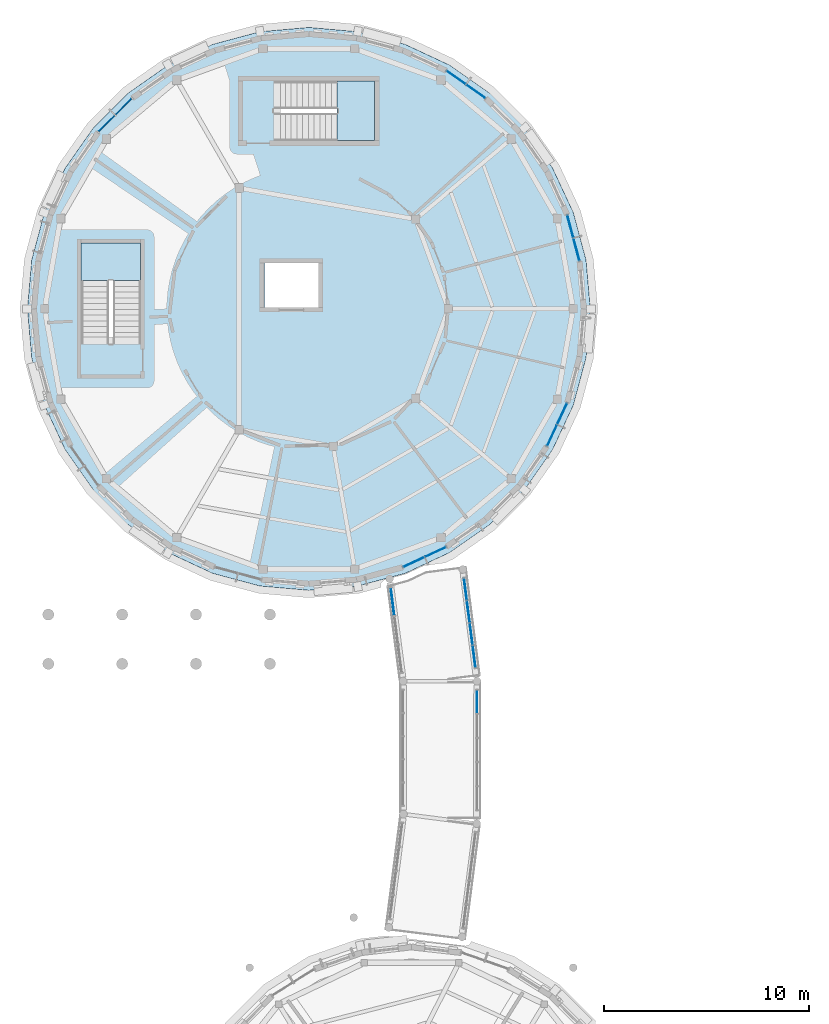
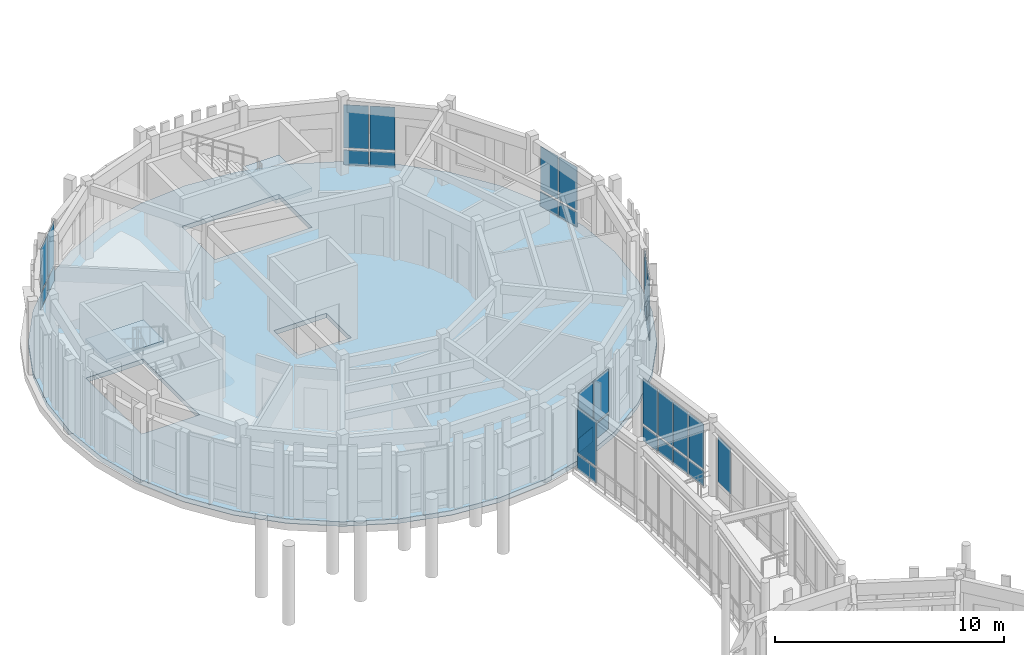
# One storey, part 37 of 80: 31 plates, 3 slabs, 10 elements without a shape of their own.
"""IFC4 building model written with IfcOpenShell, lengths in metres."""

from ifc_helpers import new_model, si_unit, direction, frame, origin, origin_2d, place, context, subcontext, project, spatial, polyline, rectangle, outline, extrude, material, layer, layer_set, type_object, element, aggregate, save


model = new_model("IFC4")

# Units and contexts
model_context = context("Model", 3, precision=1e-05, world=origin(), true_north=direction((0.0, 1.0)))
body_context = subcontext(model_context, "Body", "Model", "MODEL_VIEW")
ifc_project = project(units=[si_unit("LENGTHUNIT", "METRE"), si_unit("AREAUNIT", "SQUARE_METRE"), si_unit("VOLUMEUNIT", "CUBIC_METRE"), si_unit("PLANEANGLEUNIT", "RADIAN"), si_unit("MASSUNIT", "GRAM", prefix="KILO")], contexts=[model_context])

# Site, building, storey
site_placement = place(None, origin())
site = spatial("IfcSite", under=ifc_project, at=site_placement, CompositionType="ELEMENT")
building_placement = place(site_placement, origin())
building = spatial("IfcBuilding", under=site, at=building_placement, Name="Aldenvaro Health Centre", CompositionType="ELEMENT")
storey_placement = place(building_placement, frame((0.0, 0.0, 4.550048828125)))
storey = spatial("IfcBuildingStorey", under=building, at=storey_placement, Name="L01", CompositionType="ELEMENT", Elevation=4.550048828125)

# Curtain wall, plates
ifc_material_1 = material(Name="Anodised Aluminium 6063-T6", Category="aluminium")
ifc_layer_1 = layer(ifc_material_1, 0.195068359375, Name="Anodised Aluminium 6063-T6", Category="aluminium")
ifc_layer_set_1 = layer_set([ifc_layer_1], Name="Anodised Aluminium 6063-T6")
curtain_wall_type_1 = type_object("IfcCurtainWallType", Name="CW-CLN-02", PredefinedType="NOTDEFINED", material=ifc_layer_set_1)
curtain_wall_1_placement = place(storey_placement, origin())
curtain_wall_1 = element("IfcCurtainWall", 1, at=curtain_wall_1_placement, inside=storey, type_object=curtain_wall_type_1, Name="D4 L01 curtain wall bay 03", PredefinedType="NOTDEFINED")
ifc_material_2 = material(Name="Low-E Double Glazing IGU", Category="glass")
ifc_layer_2 = layer(ifc_material_2, 0.028076171875, Name="Low-E Double Glazing IGU", Category="glass")
ifc_layer_set_2 = layer_set([ifc_layer_2], Name="Low-E Double Glazing IGU")
plate_type_1 = type_object("IfcPlateType", Name="CWP-IGU-28", PredefinedType="CURTAIN_PANEL", material=ifc_layer_set_2)
plate_1_placement = place(storey_placement, frame((30.844970703125, 94.387939453125, 0.95947265625), z_axis=(0.0, 0.0, 1.0), x_axis=(-0.422557314215, -0.90633620484, 0.0)))
plate_1 = element("IfcPlate", 2, at=plate_1_placement, type_object=plate_type_1, Name="D4 L01 curtain wall bay 03 vision glazing 1", PredefinedType="CURTAIN_PANEL", context=body_context, shape_type="SweptSolid", body=[
    extrude(rectangle(XDim=1.097900390625, YDim=0.028076171875, at=origin_2d()), origin(), (0.0, 0.0, 1.0), 2.2890625),
])
plate_2_placement = place(storey_placement, frame((30.35205078125, 93.3291015625, 0.95947265625), z_axis=(0.0, 0.0, 1.0), x_axis=(-0.422557314215, -0.90633620484, 0.0)))
plate_2 = element("IfcPlate", 3, at=plate_2_placement, type_object=plate_type_1, Name="D4 L01 curtain wall bay 03 vision glazing 2", PredefinedType="CURTAIN_PANEL", context=body_context, shape_type="SweptSolid", body=[
    extrude(rectangle(XDim=1.097900390625, YDim=0.028076171875, at=origin_2d()), origin(), (0.0, 0.0, 1.0), 2.2890625),
])

curtain_wall_2_placement = place(storey_placement, origin())
curtain_wall_2 = element("IfcCurtainWall", 4, at=curtain_wall_2_placement, inside=storey, type_object=curtain_wall_type_1, Name="D4 L01 curtain wall bay 07", PredefinedType="NOTDEFINED")
plate_3_placement = place(storey_placement, frame((24.6708984375, 87.64794921875, 0.95947265625), z_axis=(0.0, 0.0, 1.0), x_axis=(-0.90633620484, -0.422557314215, 0.0)))
plate_3 = element("IfcPlate", 5, at=plate_3_placement, type_object=plate_type_1, Name="D4 L01 curtain wall bay 07 vision glazing 1", PredefinedType="CURTAIN_PANEL", context=body_context, shape_type="SweptSolid", body=[
    extrude(rectangle(XDim=1.097900390625, YDim=0.028076171875, at=origin_2d()), origin(), (0.0, 0.0, 1.0), 2.2890625),
])
plate_4_placement = place(storey_placement, frame((23.612060546875, 87.155029296875, 0.95947265625), z_axis=(0.0, 0.0, 1.0), x_axis=(-0.90633620484, -0.422557314215, 0.0)))
plate_4 = element("IfcPlate", 6, at=plate_4_placement, type_object=plate_type_1, Name="D4 L01 curtain wall bay 07 vision glazing 2", PredefinedType="CURTAIN_PANEL", context=body_context, shape_type="SweptSolid", body=[
    extrude(rectangle(XDim=1.097900390625, YDim=0.028076171875, at=origin_2d()), origin(), (0.0, 0.0, 1.0), 2.2890625),
])

curtain_wall_3_placement = place(storey_placement, origin())
curtain_wall_3 = element("IfcCurtainWall", 7, at=curtain_wall_3_placement, inside=storey, type_object=curtain_wall_type_1, Name="D4 L01 curtain wall bay 23", PredefinedType="NOTDEFINED")
plate_5_placement = place(storey_placement, frame((8.64794921875, 108.52587890625, 0.95947265625), z_axis=(0.0, 0.0, 1.0), x_axis=(0.707106781187, 0.707106781187, 0.0)))
plate_5 = element("IfcPlate", 8, at=plate_5_placement, type_object=plate_type_1, Name="D4 L01 curtain wall bay 23 vision glazing 1", PredefinedType="CURTAIN_PANEL", context=body_context, shape_type="SweptSolid", body=[
    extrude(rectangle(XDim=1.097900390625, YDim=0.028076171875, at=origin_2d()), origin(), (0.0, 0.0, 1.0), 2.2890625),
])
plate_6_placement = place(storey_placement, frame((9.47412109375, 109.35205078125, 0.95947265625), z_axis=(0.0, 0.0, 1.0), x_axis=(0.707106781187, 0.707106781187, 0.0)))
plate_6 = element("IfcPlate", 9, at=plate_6_placement, type_object=plate_type_1, Name="D4 L01 curtain wall bay 23 vision glazing 2", PredefinedType="CURTAIN_PANEL", context=body_context, shape_type="SweptSolid", body=[
    extrude(rectangle(XDim=1.097900390625, YDim=0.028076171875, at=origin_2d()), origin(), (0.0, 0.0, 1.0), 2.2890625),
])

curtain_wall_4_placement = place(storey_placement, origin())
curtain_wall_4 = element("IfcCurtainWall", 10, at=curtain_wall_4_placement, inside=storey, type_object=curtain_wall_type_1, Name="D4 L01 curtain wall bay 31", PredefinedType="NOTDEFINED")
plate_7_placement = place(storey_placement, frame((25.677978515625, 110.77001953125, 0.95947265625), z_axis=(0.0, 0.0, 1.0), x_axis=(0.819050849853, -0.573720929857, 0.0)))
plate_7 = element("IfcPlate", 11, at=plate_7_placement, type_object=plate_type_1, Name="D4 L01 curtain wall bay 31 vision glazing 1", PredefinedType="CURTAIN_PANEL", context=body_context, shape_type="SweptSolid", body=[
    extrude(rectangle(XDim=1.097900390625, YDim=0.028076171875, at=origin_2d()), origin(), (0.0, 0.0, 1.0), 2.2890625),
])
plate_8_placement = place(storey_placement, frame((26.635009765625, 110.10009765625, 0.95947265625), z_axis=(0.0, 0.0, 1.0), x_axis=(0.819050849853, -0.573720929857, 0.0)))
plate_8 = element("IfcPlate", 12, at=plate_8_placement, type_object=plate_type_1, Name="D4 L01 curtain wall bay 31 vision glazing 2", PredefinedType="CURTAIN_PANEL", context=body_context, shape_type="SweptSolid", body=[
    extrude(rectangle(XDim=1.097900390625, YDim=0.028076171875, at=origin_2d()), origin(), (0.0, 0.0, 1.0), 2.2890625),
])

curtain_wall_5_placement = place(storey_placement, origin())
curtain_wall_5 = element("IfcCurtainWall", 13, at=curtain_wall_5_placement, inside=storey, type_object=curtain_wall_type_1, Name="D4 L01 curtain wall bay 35", PredefinedType="NOTDEFINED")
plate_9_placement = place(storey_placement, frame((31.242919921875, 103.51904296875, 0.95947265625), z_axis=(0.0, 0.0, 1.0), x_axis=(0.258621935517, -0.965978620089, 0.0)))
plate_9 = element("IfcPlate", 14, at=plate_9_placement, type_object=plate_type_1, Name="D4 L01 curtain wall bay 35 vision glazing 1", PredefinedType="CURTAIN_PANEL", context=body_context, shape_type="SweptSolid", body=[
    extrude(rectangle(XDim=1.097900390625, YDim=0.028076171875, at=origin_2d()), origin(), (0.0, 0.0, 1.0), 2.2890625),
])
plate_10_placement = place(storey_placement, frame((31.544921875, 102.39111328125, 0.95947265625), z_axis=(0.0, 0.0, 1.0), x_axis=(0.258621935517, -0.965978620089, 0.0)))
plate_10 = element("IfcPlate", 15, at=plate_10_placement, type_object=plate_type_1, Name="D4 L01 curtain wall bay 35 vision glazing 2", PredefinedType="CURTAIN_PANEL", context=body_context, shape_type="SweptSolid", body=[
    extrude(rectangle(XDim=1.097900390625, YDim=0.028076171875, at=origin_2d()), origin(), (0.0, 0.0, 1.0), 2.2890625),
])

# Curtain wall, plate
ifc_layer_3 = layer(ifc_material_1, 0.2099609375, Name="Anodised Aluminium 6063-T6", Category="aluminium")
ifc_layer_set_3 = layer_set([ifc_layer_3], Name="Anodised Aluminium 6063-T6")
curtain_wall_type_2 = type_object("IfcCurtainWallType", Name="CW-BRG-03", PredefinedType="NOTDEFINED", material=ifc_layer_set_3)
curtain_wall_6_placement = place(storey_placement, origin())
curtain_wall_6 = element("IfcCurtainWall", 16, at=curtain_wall_6_placement, inside=storey, type_object=curtain_wall_type_2, Name="West North Curved Garden Walkway Arc 2 L01 glazed link wall R-1.1", PredefinedType="NOTDEFINED")
plate_11_placement = place(storey_placement, frame((26.693115234375, 80.35009765625, 0.9599609375), z_axis=(0.0, 0.0, 1.0), x_axis=(0.0, 1.0, 0.0)))
plate_11 = element("IfcPlate", 17, at=plate_11_placement, type_object=plate_type_1, Name="West North Curved Garden Walkway Arc 2 L01 glazed link wall R-1.1 vision glazing 5", PredefinedType="CURTAIN_PANEL", context=body_context, shape_type="SweptSolid", body=[
    extrude(rectangle(XDim=1.10498046875, YDim=0.028076171875, at=origin_2d()), origin(), (0.0, 0.0, 1.0), 2.389892578125),
])
aggregate(curtain_wall_6, [plate_11])

curtain_wall_7_placement = place(storey_placement, origin())
curtain_wall_7 = element("IfcCurtainWall", 18, at=curtain_wall_7_placement, inside=storey, type_object=curtain_wall_type_2, Name="West North Curved Garden Walkway Arc 3 L01 glazed link wall L-1.1", PredefinedType="NOTDEFINED")
plate_12_placement = place(storey_placement, frame((22.5791015625, 85.23095703125, 0.9599609375), z_axis=(0.0, 0.0, 1.0), x_axis=(-0.127669024913, 0.991816827886, 0.0)))
plate_12 = element("IfcPlate", 19, at=plate_12_placement, type_object=plate_type_1, Name="West North Curved Garden Walkway Arc 3 L01 glazed link wall L-1.1 vision glazing 3", PredefinedType="CURTAIN_PANEL", context=body_context, shape_type="SweptSolid", body=[
    extrude(rectangle(XDim=1.3291015625, YDim=0.028076171875, at=origin_2d()), origin(), (0.0, 0.0, 1.0), 2.389892578125),
])

# Curtain wall, plates
curtain_wall_8_placement = place(storey_placement, origin())
curtain_wall_8 = element("IfcCurtainWall", 20, at=curtain_wall_8_placement, inside=storey, type_object=curtain_wall_type_2, Name="West North Curved Garden Walkway Arc 3 L01 glazed link wall R-1.1", PredefinedType="NOTDEFINED")
plate_13_placement = place(storey_placement, frame((26.553955078125, 82.552001953125, 0.9599609375), z_axis=(0.0, 0.0, 1.0), x_axis=(-0.127906689452, 0.991786206192, 0.0)))
plate_13 = element("IfcPlate", 21, at=plate_13_placement, type_object=plate_type_1, Name="West North Curved Garden Walkway Arc 3 L01 glazed link wall R-1.1 vision glazing 1", PredefinedType="CURTAIN_PANEL", context=body_context, shape_type="SweptSolid", body=[
    extrude(rectangle(XDim=1.033935546875, YDim=0.028076171875, at=origin_2d()), origin(), (0.0, 0.0, 1.0), 2.389892578125),
])
plate_14_placement = place(storey_placement, frame((26.4130859375, 83.64697265625, 0.9599609375), z_axis=(0.0, 0.0, 1.0), x_axis=(-0.127906689452, 0.991786206192, 0.0)))
plate_14 = element("IfcPlate", 22, at=plate_14_placement, type_object=plate_type_1, Name="West North Curved Garden Walkway Arc 3 L01 glazed link wall R-1.1 vision glazing 2", PredefinedType="CURTAIN_PANEL", context=body_context, shape_type="SweptSolid", body=[
    extrude(rectangle(XDim=1.033935546875, YDim=0.028076171875, at=origin_2d()), origin(), (0.0, 0.0, 1.0), 2.389892578125),
])
plate_15_placement = place(storey_placement, frame((26.27197265625, 84.741943359375, 0.9599609375), z_axis=(0.0, 0.0, 1.0), x_axis=(-0.127906689452, 0.991786206192, 0.0)))
plate_15 = element("IfcPlate", 23, at=plate_15_placement, type_object=plate_type_1, Name="West North Curved Garden Walkway Arc 3 L01 glazed link wall R-1.1 vision glazing 3", PredefinedType="CURTAIN_PANEL", context=body_context, shape_type="SweptSolid", body=[
    extrude(rectangle(XDim=1.033935546875, YDim=0.028076171875, at=origin_2d()), origin(), (0.0, 0.0, 1.0), 2.389892578125),
])
plate_16_placement = place(storey_placement, frame((26.131103515625, 85.8369140625, 0.9599609375), z_axis=(0.0, 0.0, 1.0), x_axis=(-0.127906689452, 0.991786206192, 0.0)))
plate_16 = element("IfcPlate", 24, at=plate_16_placement, type_object=plate_type_1, Name="West North Curved Garden Walkway Arc 3 L01 glazed link wall R-1.1 vision glazing 4", PredefinedType="CURTAIN_PANEL", context=body_context, shape_type="SweptSolid", body=[
    extrude(rectangle(XDim=1.033935546875, YDim=0.028076171875, at=origin_2d()), origin(), (0.0, 0.0, 1.0), 2.389892578125),
])

# Plate
ifc_material_3 = material(Name="Insulated Aluminium Spandrel", Category="aluminium")
ifc_layer_4 = layer(ifc_material_3, 0.035888671875, Name="Insulated Aluminium Spandrel", Category="aluminium")
ifc_layer_set_4 = layer_set([ifc_layer_4], Name="Insulated Aluminium Spandrel")
plate_type_2 = type_object("IfcPlateType", Name="CWP-SPN-36", PredefinedType="CURTAIN_PANEL", material=ifc_layer_set_4)
plate_17_placement = place(storey_placement, frame((30.844970703125, 94.387939453125, 0.06005859375), z_axis=(0.0, 0.0, 1.0), x_axis=(-0.422557314215, -0.90633620484, 0.0)))
plate_17 = element("IfcPlate", 25, at=plate_17_placement, type_object=plate_type_2, Name="D4 L01 curtain wall bay 03 spandrel panel 1", PredefinedType="CURTAIN_PANEL", context=body_context, shape_type="SweptSolid", body=[
    extrude(rectangle(XDim=1.097900390625, YDim=0.035888671875, at=origin_2d()), origin(), (0.0, 0.0, 1.0), 0.780029296875),
])

plate_18_placement = place(storey_placement, frame((30.35205078125, 93.3291015625, 0.06005859375), z_axis=(0.0, 0.0, 1.0), x_axis=(-0.422557314215, -0.90633620484, 0.0)))
plate_18 = element("IfcPlate", 26, at=plate_18_placement, type_object=plate_type_2, Name="D4 L01 curtain wall bay 03 spandrel panel 2", PredefinedType="CURTAIN_PANEL", context=body_context, shape_type="SweptSolid", body=[
    extrude(rectangle(XDim=1.097900390625, YDim=0.035888671875, at=origin_2d()), origin(), (0.0, 0.0, 1.0), 0.780029296875),
])

aggregate(curtain_wall_1, [plate_17, plate_1, plate_18, plate_2])

plate_19_placement = place(storey_placement, frame((24.6708984375, 87.64794921875, 0.06005859375), z_axis=(0.0, 0.0, 1.0), x_axis=(-0.90633620484, -0.422557314215, 0.0)))
plate_19 = element("IfcPlate", 27, at=plate_19_placement, type_object=plate_type_2, Name="D4 L01 curtain wall bay 07 spandrel panel 1", PredefinedType="CURTAIN_PANEL", context=body_context, shape_type="SweptSolid", body=[
    extrude(rectangle(XDim=1.097900390625, YDim=0.035888671875, at=origin_2d()), origin(), (0.0, 0.0, 1.0), 0.780029296875),
])

plate_20_placement = place(storey_placement, frame((23.612060546875, 87.155029296875, 0.06005859375), z_axis=(0.0, 0.0, 1.0), x_axis=(-0.90633620484, -0.422557314215, 0.0)))
plate_20 = element("IfcPlate", 28, at=plate_20_placement, type_object=plate_type_2, Name="D4 L01 curtain wall bay 07 spandrel panel 2", PredefinedType="CURTAIN_PANEL", context=body_context, shape_type="SweptSolid", body=[
    extrude(rectangle(XDim=1.097900390625, YDim=0.035888671875, at=origin_2d()), origin(), (0.0, 0.0, 1.0), 0.780029296875),
])

aggregate(curtain_wall_2, [plate_19, plate_3, plate_20, plate_4])

plate_21_placement = place(storey_placement, frame((8.64794921875, 108.52587890625, 0.06005859375), z_axis=(0.0, 0.0, 1.0), x_axis=(0.707106781187, 0.707106781187, 0.0)))
plate_21 = element("IfcPlate", 29, at=plate_21_placement, type_object=plate_type_2, Name="D4 L01 curtain wall bay 23 spandrel panel 1", PredefinedType="CURTAIN_PANEL", context=body_context, shape_type="SweptSolid", body=[
    extrude(rectangle(XDim=1.097900390625, YDim=0.035888671875, at=origin_2d()), origin(), (0.0, 0.0, 1.0), 0.780029296875),
])

plate_22_placement = place(storey_placement, frame((9.47412109375, 109.35205078125, 0.06005859375), z_axis=(0.0, 0.0, 1.0), x_axis=(0.707106781187, 0.707106781187, 0.0)))
plate_22 = element("IfcPlate", 30, at=plate_22_placement, type_object=plate_type_2, Name="D4 L01 curtain wall bay 23 spandrel panel 2", PredefinedType="CURTAIN_PANEL", context=body_context, shape_type="SweptSolid", body=[
    extrude(rectangle(XDim=1.097900390625, YDim=0.035888671875, at=origin_2d()), origin(), (0.0, 0.0, 1.0), 0.780029296875),
])

aggregate(curtain_wall_3, [plate_21, plate_5, plate_22, plate_6])

plate_23_placement = place(storey_placement, frame((25.677978515625, 110.77001953125, 0.06005859375), z_axis=(0.0, 0.0, 1.0), x_axis=(0.819050849853, -0.573720929857, 0.0)))
plate_23 = element("IfcPlate", 31, at=plate_23_placement, type_object=plate_type_2, Name="D4 L01 curtain wall bay 31 spandrel panel 1", PredefinedType="CURTAIN_PANEL", context=body_context, shape_type="SweptSolid", body=[
    extrude(rectangle(XDim=1.097900390625, YDim=0.035888671875, at=origin_2d()), origin(), (0.0, 0.0, 1.0), 0.780029296875),
])

plate_24_placement = place(storey_placement, frame((26.635009765625, 110.10009765625, 0.06005859375), z_axis=(0.0, 0.0, 1.0), x_axis=(0.819050849853, -0.573720929857, 0.0)))
plate_24 = element("IfcPlate", 32, at=plate_24_placement, type_object=plate_type_2, Name="D4 L01 curtain wall bay 31 spandrel panel 2", PredefinedType="CURTAIN_PANEL", context=body_context, shape_type="SweptSolid", body=[
    extrude(rectangle(XDim=1.097900390625, YDim=0.035888671875, at=origin_2d()), origin(), (0.0, 0.0, 1.0), 0.780029296875),
])

aggregate(curtain_wall_4, [plate_23, plate_7, plate_24, plate_8])

plate_25_placement = place(storey_placement, frame((31.242919921875, 103.51904296875, 0.06005859375), z_axis=(0.0, 0.0, 1.0), x_axis=(0.258621935517, -0.965978620089, 0.0)))
plate_25 = element("IfcPlate", 33, at=plate_25_placement, type_object=plate_type_2, Name="D4 L01 curtain wall bay 35 spandrel panel 1", PredefinedType="CURTAIN_PANEL", context=body_context, shape_type="SweptSolid", body=[
    extrude(rectangle(XDim=1.097900390625, YDim=0.035888671875, at=origin_2d()), origin(), (0.0, 0.0, 1.0), 0.780029296875),
])

plate_26_placement = place(storey_placement, frame((31.544921875, 102.39111328125, 0.06005859375), z_axis=(0.0, 0.0, 1.0), x_axis=(0.258621935517, -0.965978620089, 0.0)))
plate_26 = element("IfcPlate", 34, at=plate_26_placement, type_object=plate_type_2, Name="D4 L01 curtain wall bay 35 spandrel panel 2", PredefinedType="CURTAIN_PANEL", context=body_context, shape_type="SweptSolid", body=[
    extrude(rectangle(XDim=1.097900390625, YDim=0.035888671875, at=origin_2d()), origin(), (0.0, 0.0, 1.0), 0.780029296875),
])

aggregate(curtain_wall_5, [plate_25, plate_9, plate_26, plate_10])

plate_27_placement = place(storey_placement, frame((22.5791015625, 85.23095703125, 0.06005859375), z_axis=(0.0, 0.0, 1.0), x_axis=(-0.127669024913, 0.991816827886, 0.0)))
plate_27 = element("IfcPlate", 35, at=plate_27_placement, type_object=plate_type_2, Name="West North Curved Garden Walkway Arc 3 L01 glazed link wall L-1.1 spandrel panel 3", PredefinedType="CURTAIN_PANEL", context=body_context, shape_type="SweptSolid", body=[
    extrude(rectangle(XDim=1.3291015625, YDim=0.035888671875, at=origin_2d()), origin(), (0.0, 0.0, 1.0), 0.780029296875),
])

aggregate(curtain_wall_7, [plate_27, plate_12])

plate_28_placement = place(storey_placement, frame((26.553955078125, 82.552001953125, 0.06005859375), z_axis=(0.0, 0.0, 1.0), x_axis=(-0.127906689452, 0.991786206192, 0.0)))
plate_28 = element("IfcPlate", 36, at=plate_28_placement, type_object=plate_type_2, Name="West North Curved Garden Walkway Arc 3 L01 glazed link wall R-1.1 spandrel panel 1", PredefinedType="CURTAIN_PANEL", context=body_context, shape_type="SweptSolid", body=[
    extrude(rectangle(XDim=1.033935546875, YDim=0.035888671875, at=origin_2d()), origin(), (0.0, 0.0, 1.0), 0.780029296875),
])

plate_29_placement = place(storey_placement, frame((26.4130859375, 83.64697265625, 0.06005859375), z_axis=(0.0, 0.0, 1.0), x_axis=(-0.127906689452, 0.991786206192, 0.0)))
plate_29 = element("IfcPlate", 37, at=plate_29_placement, type_object=plate_type_2, Name="West North Curved Garden Walkway Arc 3 L01 glazed link wall R-1.1 spandrel panel 2", PredefinedType="CURTAIN_PANEL", context=body_context, shape_type="SweptSolid", body=[
    extrude(rectangle(XDim=1.033935546875, YDim=0.035888671875, at=origin_2d()), origin(), (0.0, 0.0, 1.0), 0.780029296875),
])

plate_30_placement = place(storey_placement, frame((26.27197265625, 84.741943359375, 0.06005859375), z_axis=(0.0, 0.0, 1.0), x_axis=(-0.127906689452, 0.991786206192, 0.0)))
plate_30 = element("IfcPlate", 38, at=plate_30_placement, type_object=plate_type_2, Name="West North Curved Garden Walkway Arc 3 L01 glazed link wall R-1.1 spandrel panel 3", PredefinedType="CURTAIN_PANEL", context=body_context, shape_type="SweptSolid", body=[
    extrude(rectangle(XDim=1.033935546875, YDim=0.035888671875, at=origin_2d()), origin(), (0.0, 0.0, 1.0), 0.780029296875),
])

plate_31_placement = place(storey_placement, frame((26.131103515625, 85.8369140625, 0.06005859375), z_axis=(0.0, 0.0, 1.0), x_axis=(-0.127906689452, 0.991786206192, 0.0)))
plate_31 = element("IfcPlate", 39, at=plate_31_placement, type_object=plate_type_2, Name="West North Curved Garden Walkway Arc 3 L01 glazed link wall R-1.1 spandrel panel 4", PredefinedType="CURTAIN_PANEL", context=body_context, shape_type="SweptSolid", body=[
    extrude(rectangle(XDim=1.033935546875, YDim=0.035888671875, at=origin_2d()), origin(), (0.0, 0.0, 1.0), 0.780029296875),
])

aggregate(curtain_wall_8, [plate_28, plate_13, plate_29, plate_14, plate_30, plate_15, plate_31, plate_16])

# Slab
ifc_material_4 = material(Name="Cross-laminated timber CLT E1", Category="wood")
ifc_layer_5 = layer(ifc_material_4, 0.2451171875, Name="Cross-laminated timber CLT E1", Category="wood")
ifc_layer_set_5 = layer_set([ifc_layer_5], Name="Cross-laminated timber CLT E1")
slab_type_1 = type_object("IfcSlabType", Name="SLB-CLT-245", PredefinedType="FLOOR", material=ifc_layer_set_5)
slab_1_placement = place(storey_placement, frame((0.0, 0.0, -0.2451171875)))
element("IfcSlab", 40, at=slab_1_placement, inside=storey, type_object=slab_type_1, Name="D4 L01 floor slab", PredefinedType="FLOOR", context=body_context, shape_type="SweptSolid", body=[
    extrude(outline(polyline([(32.219970703125, 99.5), (32.011962890625, 101.882080078125), (31.39306640625, 104.193115234375), (30.382080078125, 106.360107421875), (29.010009765625, 108.319091796875), (27.319091796875, 110.010009765625), (25.360107421875, 111.382080078125), (23.193115234375, 112.39306640625), (20.882080078125, 113.011962890625), (18.5, 113.219970703125), (16.117919921875, 113.011962890625), (13.806884765625, 112.39306640625), (11.639892578125, 111.382080078125), (9.680908203125, 110.010009765625), (7.989990234375, 108.319091796875), (6.617919921875, 106.360107421875), (5.60693359375, 104.193115234375), (4.988037109375, 101.882080078125), (4.780029296875, 99.5), (4.988037109375, 97.117919921875), (5.60693359375, 94.806884765625), (6.617919921875, 92.639892578125), (7.989990234375, 90.680908203125), (9.680908203125, 88.989990234375), (11.639892578125, 87.617919921875), (13.806884765625, 86.60693359375), (16.117919921875, 85.988037109375), (18.5, 85.780029296875), (20.882080078125, 85.988037109375), (23.193115234375, 86.60693359375), (25.360107421875, 87.617919921875), (27.319091796875, 88.989990234375), (29.010009765625, 90.680908203125), (30.382080078125, 92.639892578125), (31.39306640625, 94.806884765625), (32.011962890625, 97.117919921875), (32.219970703125, 99.5)]), holes=[polyline([(16.800048828125, 107.699951171875), (21.699951171875, 107.699951171875), (21.699951171875, 110.60009765625), (16.800048828125, 110.60009765625), (16.800048828125, 107.699951171875)]), polyline([(10.300048828125, 97.800048828125), (10.300048828125, 102.699951171875), (7.39990234375, 102.699951171875), (7.39990234375, 97.800048828125), (10.300048828125, 97.800048828125)]), polyline([(16.324951171875, 99.574951171875), (18.97509765625, 99.574951171875), (18.97509765625, 101.72509765625), (16.324951171875, 101.72509765625), (16.324951171875, 99.574951171875)])]), origin(), (0.0, 0.0, 1.0), 0.2451171875),
])

# Stair, slab
ifc_material_5 = material(Name="Concrete f'c 40 MPa", Category="concrete")
stair_type = type_object("IfcStairType", Name="STR-DOG-420", PredefinedType="HALF_TURN_STAIR", material=ifc_material_5)
stair_1_placement = place(storey_placement, origin())
stair_1 = element("IfcStair", 41, at=stair_1_placement, inside=storey, type_object=stair_type, Name="L01 Exit Stair ST-07", PredefinedType="HALF_TURN_STAIR")
ifc_layer_6 = layer(ifc_material_5, 0.199951171875, Name="Concrete f'c 40 MPa", Category="concrete")
ifc_layer_set_6 = layer_set([ifc_layer_6], Name="Concrete f'c 40 MPa")
slab_type_2 = type_object("IfcSlabType", Name="SLB-LND-200", PredefinedType="LANDING", material=ifc_layer_set_6)
slab_2_placement = place(storey_placement, frame((0.0, 0.0, 1.89990234375)))
slab_2 = element("IfcSlab", 42, at=slab_2_placement, type_object=slab_type_2, Name="ST-07 landing 1", PredefinedType="LANDING", context=body_context, shape_type="SweptSolid", body=[
    extrude(outline(polyline([(19.8798828125, 107.699951171875), (21.699951171875, 107.699951171875), (21.699951171875, 110.60009765625), (19.8798828125, 110.60009765625), (19.8798828125, 107.699951171875)])), origin(), (0.0, 0.0, 1.0), 0.199951171875),
])
aggregate(stair_1, [slab_2])

stair_2_placement = place(storey_placement, origin())
stair_2 = element("IfcStair", 43, at=stair_2_placement, inside=storey, type_object=stair_type, Name="L01 Exit Stair ST-08", PredefinedType="HALF_TURN_STAIR")
slab_3_placement = place(storey_placement, frame((0.0, 0.0, 1.89990234375)))
slab_3 = element("IfcSlab", 44, at=slab_3_placement, type_object=slab_type_2, Name="ST-08 landing 1", PredefinedType="LANDING", context=body_context, shape_type="SweptSolid", body=[
    extrude(outline(polyline([(10.300048828125, 100.8798828125), (10.300048828125, 102.699951171875), (7.39990234375, 102.699951171875), (7.39990234375, 100.8798828125), (10.300048828125, 100.8798828125)])), origin(), (0.0, 0.0, 1.0), 0.199951171875),
])
aggregate(stair_2, [slab_3])

save(model, "model.ifc")
